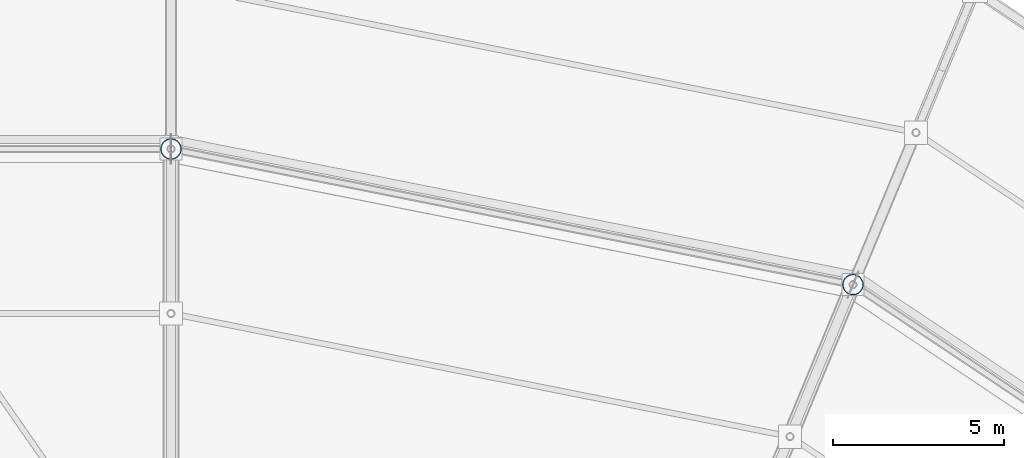
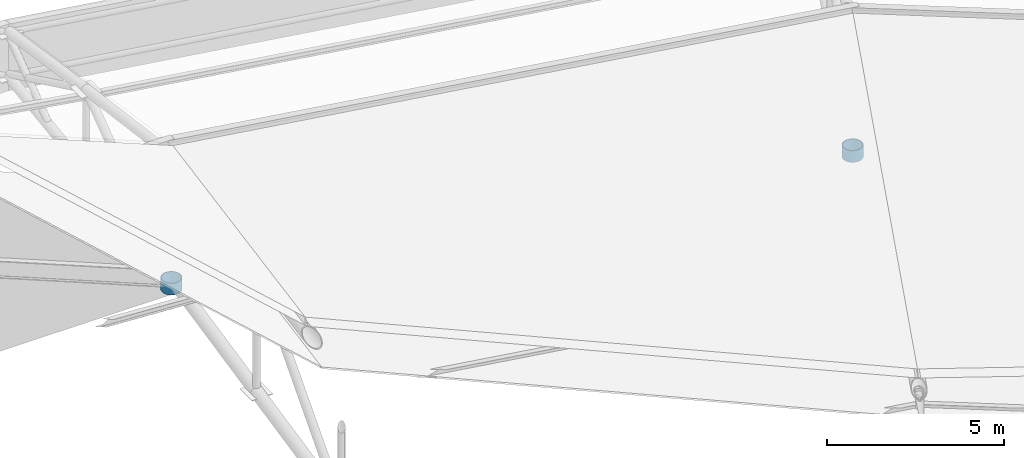
# One storey, part 13 of 146: 2 columns.
"""IFC4 building model written with IfcOpenShell, lengths in metres."""

from ifc_helpers import new_model, si_unit, direction, frame, origin, origin_2d, place, context, subcontext, project, spatial, hollow_circle, extrude, material, material_profile, profile_set, type_object, element, save


model = new_model("IFC4")

# Units and contexts
model_context = context("Model", 3, precision=1e-05, world=origin(), true_north=direction((0.0, 1.0)))
body_context = subcontext(model_context, "Body", "Model", "MODEL_VIEW")
ifc_project = project(units=[si_unit("LENGTHUNIT", "METRE"), si_unit("AREAUNIT", "SQUARE_METRE"), si_unit("VOLUMEUNIT", "CUBIC_METRE"), si_unit("PLANEANGLEUNIT", "RADIAN"), si_unit("MASSUNIT", "GRAM", prefix="KILO")], contexts=[model_context])

# Site, building, storey
site_placement = place(None, origin())
site = spatial("IfcSite", under=ifc_project, at=site_placement, CompositionType="ELEMENT")
building_placement = place(site_placement, origin())
building = spatial("IfcBuilding", under=site, at=building_placement, Name="Candeia Ridge Stadium", CompositionType="ELEMENT")
storey_placement = place(building_placement, frame((0.0, 0.0, 31.800048828125)))
storey = spatial("IfcBuildingStorey", under=building, at=storey_placement, Name="RF", CompositionType="ELEMENT", Elevation=31.800048828125)

# Columns
ifc_material = material(Name="Steel ASTM A572 Grade 50", Category="steel")
ifc_material_profile = material_profile(ifc_material, hollow_circle(Radius=0.304931640625, WallThickness=0.02490234375, at=origin_2d()), Name="CHS610x25", Category="steel")
ifc_profile_set = profile_set([ifc_material_profile], Name="Steel ASTM A572 Grade 50")
column_type = type_object("IfcColumnType", Name="Roof Mast Column CHS610x25", PredefinedType="PILASTER", material=ifc_profile_set)
for number, where, z_axis, x_axis, name in (
    (1, (141.0, 147.0, 0.0), (0.0, 0.0, 1.0), (1.0, 0.0, 0.0), "Roof truss steel mast column BC-OU-00 RF"),
    (2, (160.899658203125, 143.041748046875, 0.0), (0.0, 0.0, 1.0), (1.0, 0.0, 0.0), "Roof truss steel mast column BC-OU-35 RF"),
):
    element("IfcColumn", number, at=place(storey_placement, frame(where, z_axis=z_axis, x_axis=x_axis)), inside=storey, type_object=column_type, Name=name, PredefinedType="PILASTER", context=body_context, shape_type="SweptSolid", body=[
        extrude(hollow_circle(Radius=0.304931640625, WallThickness=0.02490234375, at=origin_2d()), origin(), (0.0, 0.0, 1.0), 0.39990234375),
    ])

save(model, "model.ifc")
